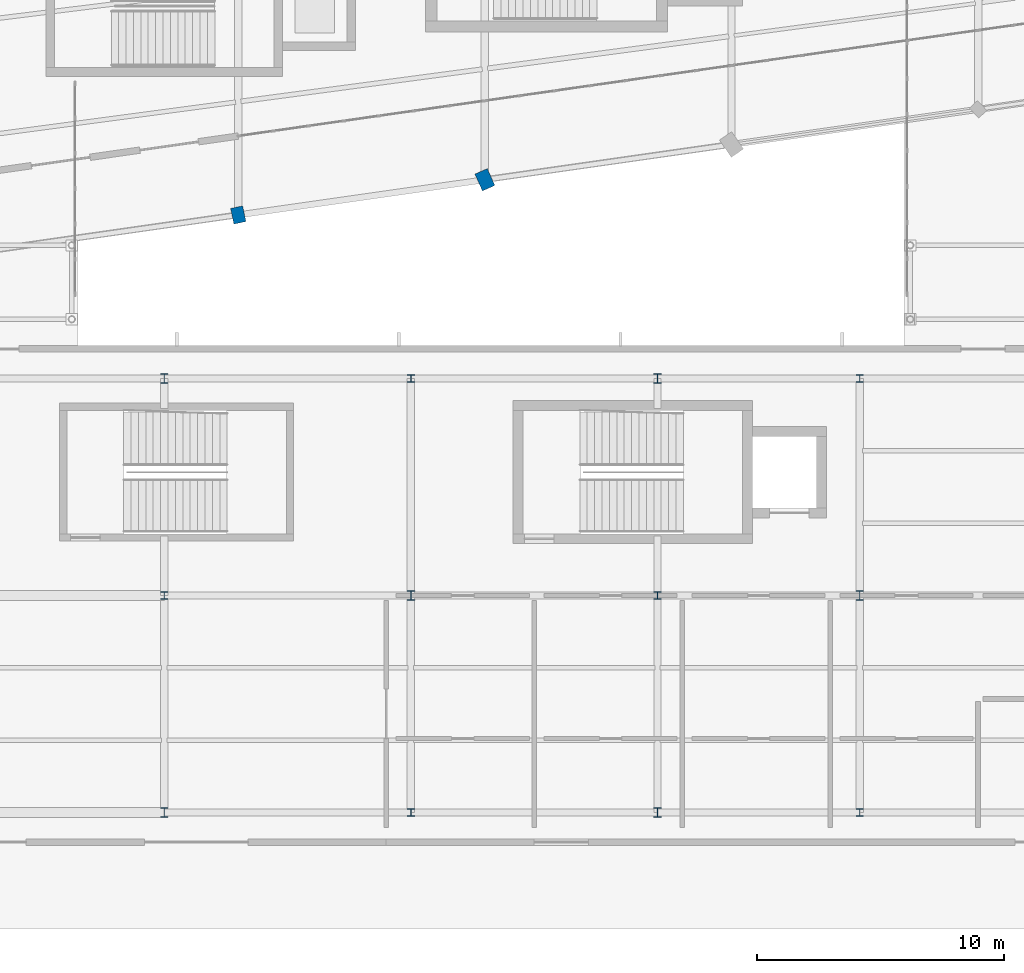
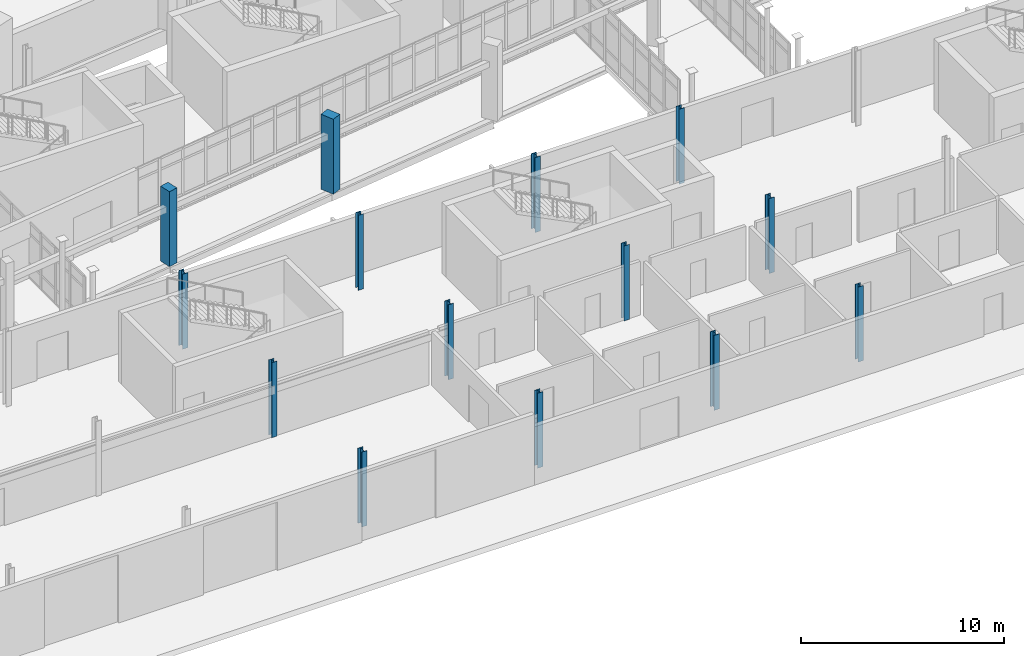
# One storey, part 5 of 122: 14 columns.
"""IFC4 building model written with IfcOpenShell, lengths in metres."""

from ifc_helpers import new_model, si_unit, direction, frame, origin, origin_2d, place, context, subcontext, project, spatial, rectangle, i_section, extrude, material, material_profile, profile_set, type_object, element, save


model = new_model("IFC4")

# Units and contexts
model_context = context("Model", 3, precision=1e-05, world=origin(), true_north=direction((0.0, 1.0)))
body_context = subcontext(model_context, "Body", "Model", "MODEL_VIEW")
ifc_project = project(units=[si_unit("LENGTHUNIT", "METRE"), si_unit("AREAUNIT", "SQUARE_METRE"), si_unit("VOLUMEUNIT", "CUBIC_METRE"), si_unit("PLANEANGLEUNIT", "RADIAN"), si_unit("MASSUNIT", "GRAM", prefix="KILO")], contexts=[model_context])

# Site, building, storey
site_placement = place(None, origin())
site = spatial("IfcSite", under=ifc_project, at=site_placement, CompositionType="ELEMENT")
building_placement = place(site_placement, origin())
building = spatial("IfcBuilding", under=site, at=building_placement, Name="Sohan Crest Arena", CompositionType="ELEMENT")
storey_placement = place(building_placement, origin())
storey = spatial("IfcBuildingStorey", under=building, at=storey_placement, Name="L00", CompositionType="ELEMENT", Elevation=0.0)

# Columns
ifc_material_1 = material(Name="Steel S355", Category="steel")
ifc_material_profile_1 = material_profile(ifc_material_1, i_section(OverallWidth=0.300048828125, OverallDepth=0.300048828125, WebThickness=0.010986328125, FlangeThickness=0.01904296875, at=origin_2d()), Name="HEB 300")
ifc_profile_set_1 = profile_set([ifc_material_profile_1], Name="Steel S355")
column_type_1 = type_object("IfcColumnType", Name="STR-COL-C17", PredefinedType="COLUMN", material=ifc_profile_set_1)
for number, where, z_axis, x_axis, name in (
    (1, (105.0, 16.0, 0.0), (0.0, 0.0, 1.0), (1.0, 0.0, 0.0), "Structural column COL-V5C-04-2-L00"),
    (2, (115.0, 7.199951171875, 0.0), (0.0, 0.0, 1.0), (1.0, 0.0, 0.0), "Structural column COL-V5C-05-1-L00"),
    (3, (115.0, 24.800048828125, 0.0), (0.0, 0.0, 1.0), (1.0, 0.0, 0.0), "Structural column COL-V5C-05-3-L00"),
    (4, (125.0, 16.0, 0.0), (0.0, 0.0, 1.0), (1.0, 0.0, 0.0), "Structural column COL-V5C-06-2-L00"),
    (5, (133.199951171875, 7.199951171875, 0.0), (0.0, 0.0, 1.0), (1.0, 0.0, 0.0), "Structural column COL-V5C-07-1-L00"),
    (6, (133.199951171875, 24.800048828125, 0.0), (0.0, 0.0, 1.0), (1.0, 0.0, 0.0), "Structural column COL-V5C-07-3-L00"),
):
    element("IfcColumn", number, at=place(storey_placement, frame(where, z_axis=z_axis, x_axis=x_axis)), inside=storey, type_object=column_type_1, Name=name, PredefinedType="COLUMN", context=body_context, shape_type="SweptSolid", body=[
        extrude(i_section(OverallWidth=0.300048828125, OverallDepth=0.300048828125, WebThickness=0.010986328125, FlangeThickness=0.01904296875, at=origin_2d()), origin(), (0.0, 0.0, 1.0), 4.5),
    ])
ifc_material_profile_2 = material_profile(ifc_material_1, i_section(OverallWidth=0.300048828125, OverallDepth=0.39990234375, WebThickness=0.013427734375, FlangeThickness=0.02392578125, at=origin_2d()), Name="HEB 400")
ifc_profile_set_2 = profile_set([ifc_material_profile_2], Name="Steel S355")
column_type_2 = type_object("IfcColumnType", Name="STR-COL-C18", PredefinedType="COLUMN", material=ifc_profile_set_2)
for number, where, z_axis, x_axis, name in (
    (7, (105.0, 7.199951171875, 0.0), (0.0, 0.0, 1.0), (1.0, 0.0, 0.0), "Structural column COL-V5C-04-1-L00"),
    (8, (105.0, 24.800048828125, 0.0), (0.0, 0.0, 1.0), (1.0, 0.0, 0.0), "Structural column COL-V5C-04-3-L00"),
    (9, (115.0, 16.0, 0.0), (0.0, 0.0, 1.0), (1.0, 0.0, 0.0), "Structural column COL-V5C-05-2-L00"),
    (10, (125.0, 7.199951171875, 0.0), (0.0, 0.0, 1.0), (1.0, 0.0, 0.0), "Structural column COL-V5C-06-1-L00"),
    (11, (125.0, 24.800048828125, 0.0), (0.0, 0.0, 1.0), (1.0, 0.0, 0.0), "Structural column COL-V5C-06-3-L00"),
    (12, (133.199951171875, 16.0, 0.0), (0.0, 0.0, 1.0), (1.0, 0.0, 0.0), "Structural column COL-V5C-07-2-L00"),
):
    element("IfcColumn", number, at=place(storey_placement, frame(where, z_axis=z_axis, x_axis=x_axis)), inside=storey, type_object=column_type_2, Name=name, PredefinedType="COLUMN", context=body_context, shape_type="SweptSolid", body=[
        extrude(i_section(OverallWidth=0.300048828125, OverallDepth=0.39990234375, WebThickness=0.013427734375, FlangeThickness=0.02392578125, at=origin_2d()), origin(), (0.0, 0.0, 1.0), 4.5),
    ])
ifc_material_2 = material(Name="Concrete C40/50", Category="concrete")
ifc_material_profile_3 = material_profile(ifc_material_2, rectangle(XDim=0.64990234375, YDim=0.5, at=origin_2d()), Name="RC 650x500")
ifc_profile_set_3 = profile_set([ifc_material_profile_3], Name="Concrete C40/50")
column_type_3 = type_object("IfcColumnType", Name="STR-COL-PC02", PredefinedType="PILASTER", material=ifc_profile_set_3)
column_1_placement = place(storey_placement, frame((108.0, 31.428955078125, 0.0), z_axis=(0.0, 0.0, 1.0), x_axis=(-0.209618562904, 0.977783236759, 0.0)))
element("IfcColumn", 13, at=column_1_placement, inside=storey, type_object=column_type_3, Name="Structural column COL-V2O-14-L00", PredefinedType="PILASTER", context=body_context, shape_type="SweptSolid", body=[
    extrude(rectangle(XDim=0.64990234375, YDim=0.5, at=origin_2d()), origin(), (0.0, 0.0, 1.0), 4.5),
])
ifc_material_profile_4 = material_profile(ifc_material_2, rectangle(XDim=0.75, YDim=0.550048828125, at=origin_2d()), Name="RC 750x550")
ifc_profile_set_4 = profile_set([ifc_material_profile_4], Name="Concrete C40/50")
column_type_4 = type_object("IfcColumnType", Name="STR-COL-PC03", PredefinedType="PILASTER", material=ifc_profile_set_4)
column_2_placement = place(storey_placement, frame((118.0, 32.85693359375, 0.0), z_axis=(0.0, 0.0, 1.0), x_axis=(-0.40514158678, 0.914253955234, 0.0)))
element("IfcColumn", 14, at=column_2_placement, inside=storey, type_object=column_type_4, Name="Structural column COL-V2O-15-L00", PredefinedType="PILASTER", context=body_context, shape_type="SweptSolid", body=[
    extrude(rectangle(XDim=0.75, YDim=0.550048828125, at=origin_2d()), origin(), (0.0, 0.0, 1.0), 4.5),
])

save(model, "model.ifc")
